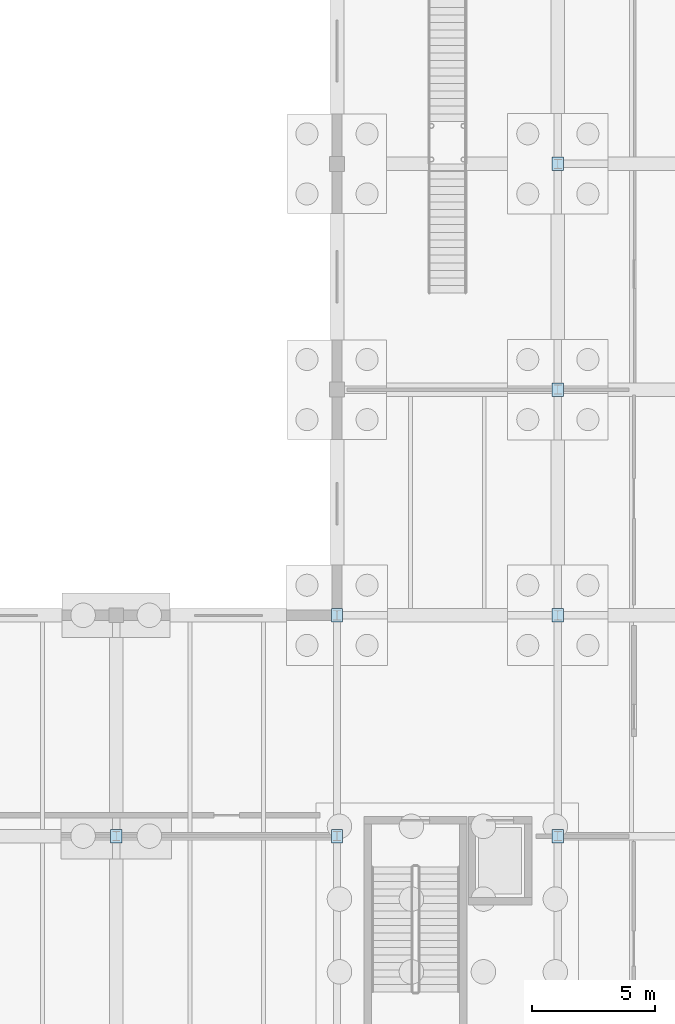
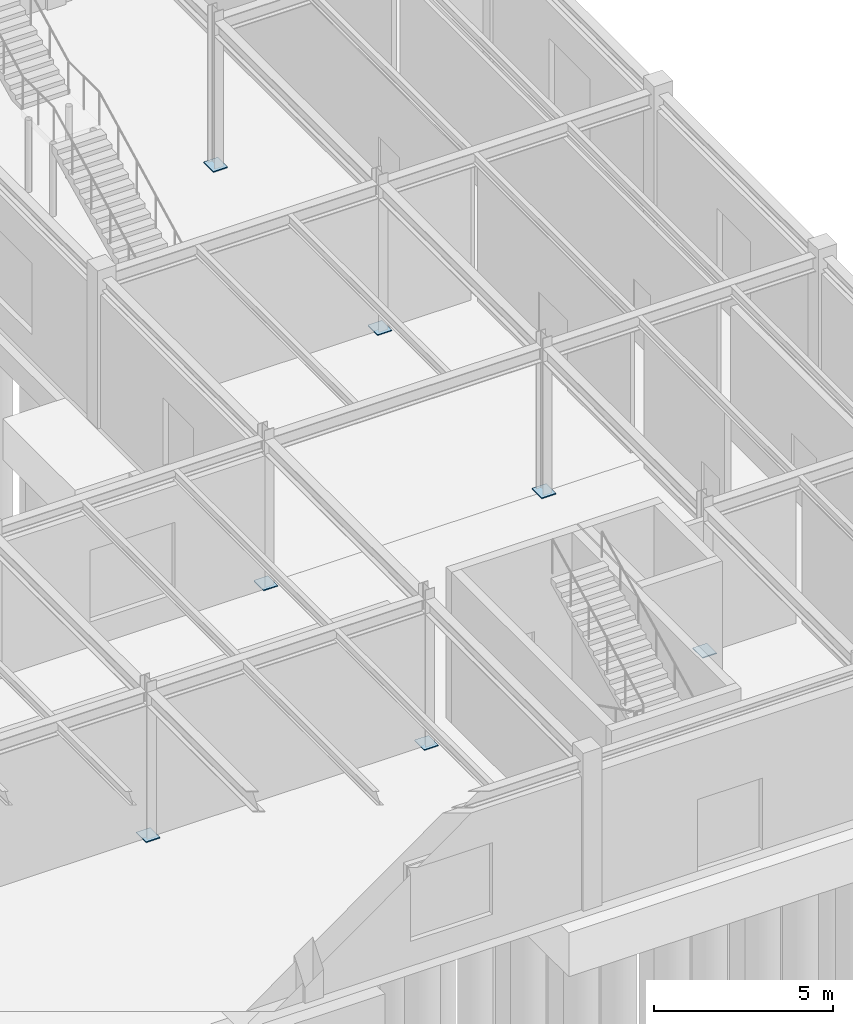
# One storey, part 52 of 76: 7 plates.
"""IFC4 building model written with IfcOpenShell, lengths in metres."""

from ifc_helpers import new_model, si_unit, direction, frame, origin, origin_2d, place, context, subcontext, project, spatial, rectangle, extrude, material, layer, layer_set, type_object, element, save


model = new_model("IFC4")

# Units and contexts
model_context = context("Model", 3, precision=1e-05, world=origin(), true_north=direction((0.0, 1.0)))
body_context = subcontext(model_context, "Body", "Model", "MODEL_VIEW")
ifc_project = project(units=[si_unit("LENGTHUNIT", "METRE"), si_unit("AREAUNIT", "SQUARE_METRE"), si_unit("VOLUMEUNIT", "CUBIC_METRE"), si_unit("PLANEANGLEUNIT", "RADIAN"), si_unit("MASSUNIT", "GRAM", prefix="KILO")], contexts=[model_context])

# Site, building, storey
site_placement = place(None, origin())
site = spatial("IfcSite", under=ifc_project, at=site_placement, CompositionType="ELEMENT")
building_placement = place(site_placement, origin())
building = spatial("IfcBuilding", under=site, at=building_placement, Name="Bozkorgan Art Gallery", CompositionType="ELEMENT")
storey_placement = place(building_placement, origin())
storey = spatial("IfcBuildingStorey", under=building, at=storey_placement, Name="L00", CompositionType="ELEMENT", Elevation=0.0)

# Plates
ifc_material = material(Name="Steel S355J2", Category="steel")
ifc_layer = layer(ifc_material, 0.031982421875, Name="Steel S355J2")
ifc_layer_set = layer_set([ifc_layer], Name="Steel S355J2")
plate_type = type_object("IfcPlateType", Name="PLATE-BP-19", PredefinedType="USERDEFINED", material=ifc_layer_set)
for number, where, z_axis, x_axis, name in (
    (1, (137.0, 11.0, 0.0), (0.0, 0.0, 1.0), (1.0, 0.0, 0.0), "COL-V6-L00-137-11 base plate"),
    (2, (146.0, 11.0, 0.0), (0.0, 0.0, 1.0), (1.0, 0.0, 0.0), "COL-V6-L00-146-11 base plate"),
    (3, (146.0, 20.0, 0.0), (0.0, 0.0, 1.0), (1.0, 0.0, 0.0), "COL-V6-L00-146-20 base plate"),
    (4, (155.0, 11.0, 0.0), (0.0, 0.0, 1.0), (1.0, 0.0, 0.0), "COL-V6-L00-155-11 base plate"),
    (5, (155.0, 20.0, 0.0), (0.0, 0.0, 1.0), (1.0, 0.0, 0.0), "COL-V6-L00-155-20 base plate"),
    (6, (155.0, 29.199951171875, 0.0), (0.0, 0.0, 1.0), (1.0, 0.0, 0.0), "COL-V6-L00-155-29 base plate"),
    (7, (155.0, 38.39990234375, 0.0), (0.0, 0.0, 1.0), (1.0, 0.0, 0.0), "COL-V6-L00-155-38 base plate"),
):
    element("IfcPlate", number, at=place(storey_placement, frame(where, z_axis=z_axis, x_axis=x_axis)), inside=storey, type_object=plate_type, Name=name, ObjectType="END CAP PLATE", PredefinedType="USERDEFINED", context=body_context, shape_type="SweptSolid", body=[
        extrude(rectangle(XDim=0.4599609375, YDim=0.550048828125, at=origin_2d()), origin(), (0.0, 0.0, 1.0), 0.031982421875),
    ])

save(model, "model.ifc")
